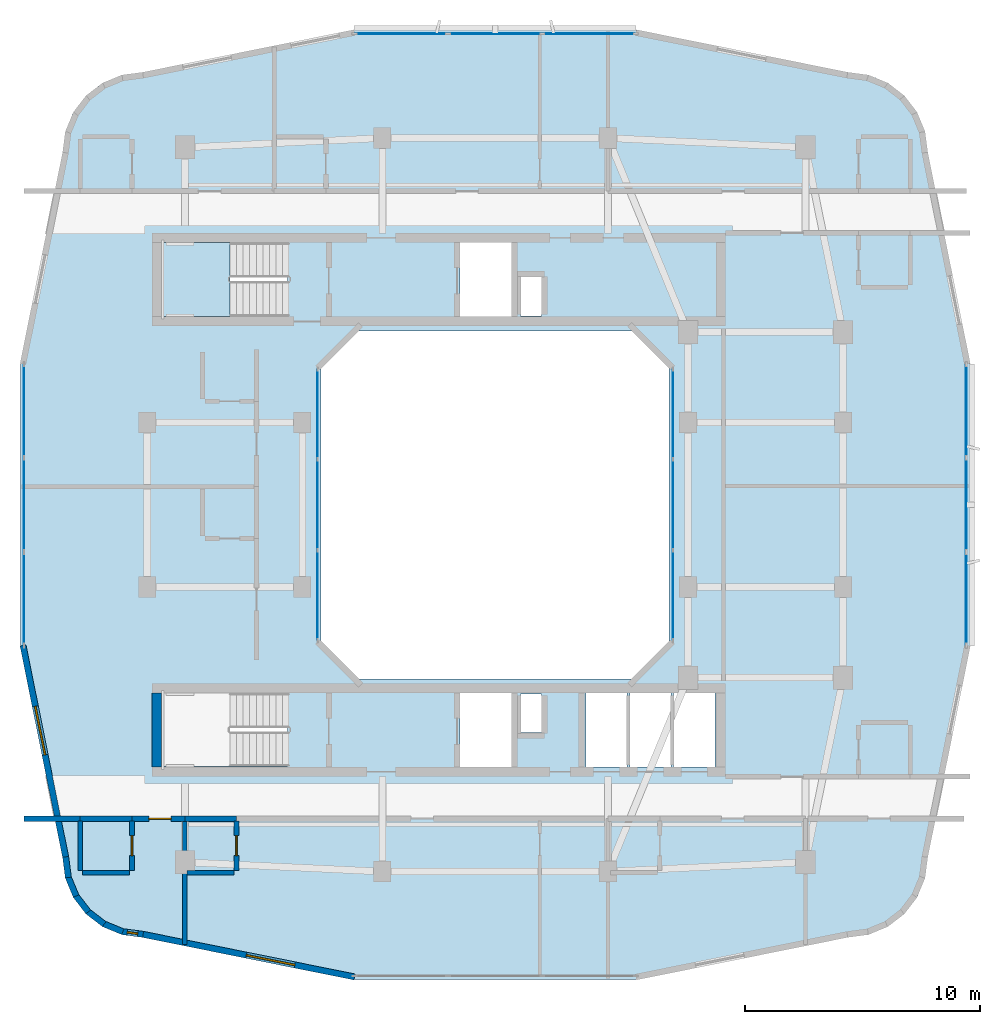
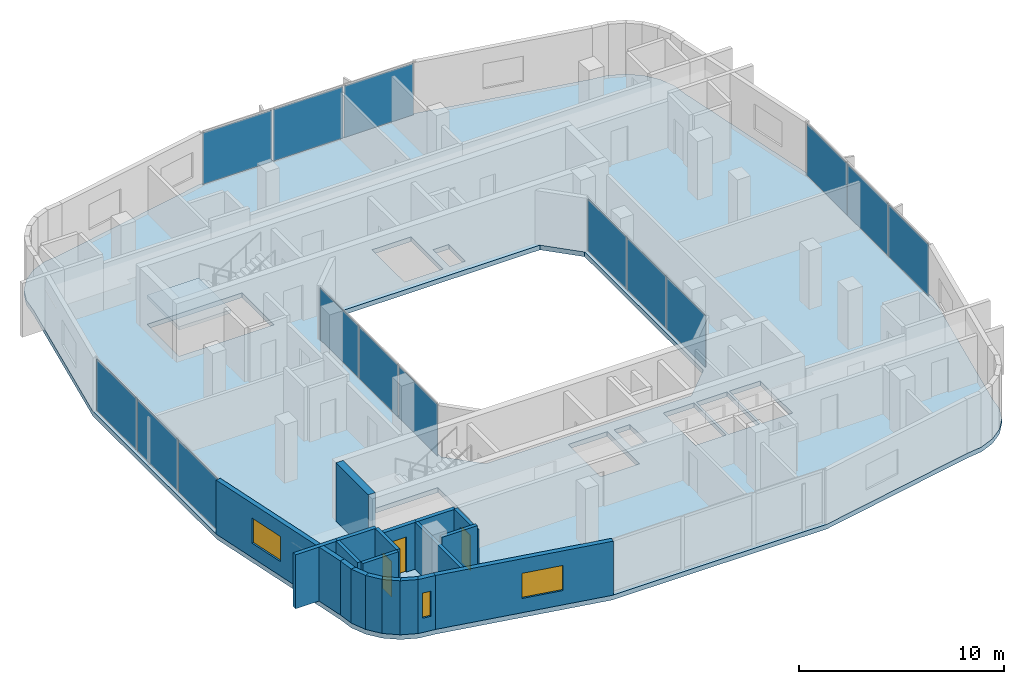
# One storey, part 6 of 14: 19 walls, 15 plates, 3 doors, 3 windows, 2 slabs, 6 openings, 6 elements without a shape of their own.
"""IFC4 building model written with IfcOpenShell, lengths in metres."""

from ifc_helpers import new_model, si_unit, derived_unit, direction, frame, frame_2d, origin, origin_2d, place, context, subcontext, project, spatial, polyline, rectangle, outline, extrude, material, layer, layer_set, type_object, element, fill, aggregate, save


model = new_model("IFC4")

# Units and contexts
model_context = context("Model", 3, precision=1e-05, world=origin(), true_north=direction((0.0, 1.0)))
body_context = subcontext(model_context, "Body", "Model", "MODEL_VIEW")
ifc_project = project(units=[si_unit("LENGTHUNIT", "METRE"), si_unit("AREAUNIT", "SQUARE_METRE"), si_unit("VOLUMEUNIT", "CUBIC_METRE"), si_unit("PLANEANGLEUNIT", "RADIAN"), si_unit("MASSUNIT", "GRAM", prefix="KILO"), derived_unit("THERMALTRANSMITTANCEUNIT", [(si_unit("POWERUNIT", "WATT"), 1), (si_unit("LENGTHUNIT", "METRE"), -2), (si_unit("THERMODYNAMICTEMPERATUREUNIT", "KELVIN"), -1)])], contexts=[model_context])

# Site, building, storey
site_placement = place(None, origin())
site = spatial("IfcSite", under=ifc_project, at=site_placement, CompositionType="ELEMENT")
building_placement = place(site_placement, origin())
building = spatial("IfcBuilding", under=site, at=building_placement, Name="Kivonza Crest Hotel", CompositionType="ELEMENT")
storey_placement = place(building_placement, frame((0.0, 0.0, 141.5)))
storey = spatial("IfcBuildingStorey", under=building, at=storey_placement, Name="L38", CompositionType="ELEMENT", Elevation=141.5)

# Curtain wall, plates
ifc_material_1 = material(Name="Anodised bronze aluminium and low-E double glazing", Category="aluminium")
ifc_layer_1 = layer(ifc_material_1, 0.159912109375)
ifc_layer_set_1 = layer_set([ifc_layer_1], Name="Anodised bronze aluminium and low-E double glazing")
curtain_wall_type_1 = type_object("IfcCurtainWallType", Name="CW-SYS-5", PredefinedType="NOTDEFINED", material=ifc_layer_set_1)
curtain_wall_1_placement = place(storey_placement, origin())
curtain_wall_1 = element("IfcCurtainWall", 1, at=curtain_wall_1_placement, inside=storey, type_object=curtain_wall_type_1, Name="L38 unitised curtain wall CW-WELL-T1-L38-3", PredefinedType="NOTDEFINED")
ifc_material_2 = material(Name="Solar-control low-E double glazing", Category="glass")
ifc_layer_2 = layer(ifc_material_2, 0.028076171875)
ifc_layer_set_2 = layer_set([ifc_layer_2], Name="Solar-control low-E double glazing")
plate_type_1 = type_object("IfcPlateType", Name="CW-PNL-28", PredefinedType="CURTAIN_PANEL", material=ifc_layer_set_2)
plate_1_placement = place(storey_placement, frame((28.56005859375, 21.149658203125, 0.06494140625), z_axis=(0.0, 0.0, 1.0), x_axis=(0.0, 1.0, 0.0)))
plate_1 = element("IfcPlate", 2, at=plate_1_placement, type_object=plate_type_1, Name="CW-5 panel 1.1", PredefinedType="CURTAIN_PANEL", context=body_context, shape_type="SweptSolid", body=[
    extrude(rectangle(XDim=3.769287109375, YDim=0.028076171875, at=origin_2d()), origin(), (0.0, 0.0, 1.0), 3.090087890625),
])
plate_2_placement = place(storey_placement, frame((28.56005859375, 25.0, 0.06494140625), z_axis=(0.0, 0.0, 1.0), x_axis=(0.0, 1.0, 0.0)))
plate_2 = element("IfcPlate", 3, at=plate_2_placement, type_object=plate_type_1, Name="CW-5 panel 2.1", PredefinedType="CURTAIN_PANEL", context=body_context, shape_type="SweptSolid", body=[
    extrude(rectangle(XDim=3.8017578125, YDim=0.028076171875, at=origin_2d()), origin(), (0.0, 0.0, 1.0), 3.090087890625),
])
plate_3_placement = place(storey_placement, frame((28.56005859375, 28.850341796875, 0.06494140625), z_axis=(0.0, 0.0, 1.0), x_axis=(0.0, 1.0, 0.0)))
plate_3 = element("IfcPlate", 4, at=plate_3_placement, type_object=plate_type_1, Name="CW-5 panel 3.1", PredefinedType="CURTAIN_PANEL", context=body_context, shape_type="SweptSolid", body=[
    extrude(rectangle(XDim=3.769287109375, YDim=0.028076171875, at=origin_2d()), origin(), (0.0, 0.0, 1.0), 3.090087890625),
])
aggregate(curtain_wall_1, [plate_1, plate_2, plate_3])

curtain_wall_2_placement = place(storey_placement, origin())
curtain_wall_2 = element("IfcCurtainWall", 5, at=curtain_wall_2_placement, inside=storey, type_object=curtain_wall_type_1, Name="L38 unitised curtain wall CW-WELL-T1-L38-7", PredefinedType="NOTDEFINED")
plate_4_placement = place(storey_placement, frame((13.43994140625, 28.850341796875, 0.06494140625), z_axis=(0.0, 0.0, 1.0), x_axis=(0.0, -1.0, 0.0)))
plate_4 = element("IfcPlate", 6, at=plate_4_placement, type_object=plate_type_1, Name="CW-5 panel 1.1", PredefinedType="CURTAIN_PANEL", context=body_context, shape_type="SweptSolid", body=[
    extrude(rectangle(XDim=3.769287109375, YDim=0.028076171875, at=origin_2d()), origin(), (0.0, 0.0, 1.0), 3.090087890625),
])
plate_5_placement = place(storey_placement, frame((13.43994140625, 25.0, 0.06494140625), z_axis=(0.0, 0.0, 1.0), x_axis=(0.0, -1.0, 0.0)))
plate_5 = element("IfcPlate", 7, at=plate_5_placement, type_object=plate_type_1, Name="CW-5 panel 2.1", PredefinedType="CURTAIN_PANEL", context=body_context, shape_type="SweptSolid", body=[
    extrude(rectangle(XDim=3.8017578125, YDim=0.028076171875, at=origin_2d()), origin(), (0.0, 0.0, 1.0), 3.090087890625),
])
plate_6_placement = place(storey_placement, frame((13.43994140625, 21.149658203125, 0.06494140625), z_axis=(0.0, 0.0, 1.0), x_axis=(0.0, -1.0, 0.0)))
plate_6 = element("IfcPlate", 8, at=plate_6_placement, type_object=plate_type_1, Name="CW-5 panel 3.1", PredefinedType="CURTAIN_PANEL", context=body_context, shape_type="SweptSolid", body=[
    extrude(rectangle(XDim=3.769287109375, YDim=0.028076171875, at=origin_2d()), origin(), (0.0, 0.0, 1.0), 3.090087890625),
])
aggregate(curtain_wall_2, [plate_4, plate_5, plate_6])

ifc_layer_3 = layer(ifc_material_1, 0.179931640625)
ifc_layer_set_3 = layer_set([ifc_layer_3], Name="Anodised bronze aluminium and low-E double glazing")
curtain_wall_type_2 = type_object("IfcCurtainWallType", Name="CW-SYS-3", PredefinedType="NOTDEFINED", material=ifc_layer_set_3)
curtain_wall_3_placement = place(storey_placement, origin())
curtain_wall_3 = element("IfcCurtainWall", 9, at=curtain_wall_3_placement, inside=storey, type_object=curtain_wall_type_2, Name="L38 unitised curtain wall CW-T1-L38-17", PredefinedType="NOTDEFINED")
ifc_material_3 = material(Name="Acoustic triple-laminated low-E glazing", Category="glass")
ifc_layer_4 = layer(ifc_material_3, 0.035888671875)
ifc_layer_set_4 = layer_set([ifc_layer_4], Name="Acoustic triple-laminated low-E glazing")
plate_type_2 = type_object("IfcPlateType", Name="CW-PNL-36", PredefinedType="CURTAIN_PANEL", material=ifc_layer_set_4)
plate_7_placement = place(storey_placement, frame((41.0400390625, 21.00537109375, 0.0751953125), z_axis=(0.0, 0.0, 1.0), x_axis=(0.0, 1.0, 0.0)))
plate_7 = element("IfcPlate", 10, at=plate_7_placement, type_object=plate_type_2, Name="CW-3 panel 1.1", PredefinedType="CURTAIN_PANEL", context=body_context, shape_type="SweptSolid", body=[
    extrude(rectangle(XDim=3.90087890625, YDim=0.035888671875, at=origin_2d()), origin(), (0.0, 0.0, 1.0), 3.070068359375),
])
plate_8_placement = place(storey_placement, frame((41.0400390625, 25.0, 0.0751953125), z_axis=(0.0, 0.0, 1.0), x_axis=(0.0, 1.0, 0.0)))
plate_8 = element("IfcPlate", 11, at=plate_8_placement, type_object=plate_type_2, Name="CW-3 panel 2.1", PredefinedType="CURTAIN_PANEL", context=body_context, shape_type="SweptSolid", body=[
    extrude(rectangle(XDim=3.938232421875, YDim=0.035888671875, at=origin_2d()), origin(), (0.0, 0.0, 1.0), 3.070068359375),
])
plate_9_placement = place(storey_placement, frame((41.0400390625, 28.99462890625, 0.0751953125), z_axis=(0.0, 0.0, 1.0), x_axis=(0.0, 1.0, 0.0)))
plate_9 = element("IfcPlate", 12, at=plate_9_placement, type_object=plate_type_2, Name="CW-3 panel 3.1", PredefinedType="CURTAIN_PANEL", context=body_context, shape_type="SweptSolid", body=[
    extrude(rectangle(XDim=3.90087890625, YDim=0.035888671875, at=origin_2d()), origin(), (0.0, 0.0, 1.0), 3.070068359375),
])
aggregate(curtain_wall_3, [plate_7, plate_8, plate_9])

curtain_wall_4_placement = place(storey_placement, origin())
curtain_wall_4 = element("IfcCurtainWall", 13, at=curtain_wall_4_placement, inside=storey, type_object=curtain_wall_type_2, Name="L38 unitised curtain wall CW-T1-L38-26", PredefinedType="NOTDEFINED")
plate_10_placement = place(storey_placement, frame((24.99462890625, 45.0400390625, 0.0751953125), z_axis=(0.0, 0.0, 1.0), x_axis=(-1.0, 0.0, 0.0)))
plate_10 = element("IfcPlate", 14, at=plate_10_placement, type_object=plate_type_2, Name="CW-3 panel 1.1", PredefinedType="CURTAIN_PANEL", context=body_context, shape_type="SweptSolid", body=[
    extrude(rectangle(XDim=3.90087890625, YDim=0.035888671875, at=origin_2d()), origin(), (0.0, 0.0, 1.0), 3.070068359375),
])
plate_11_placement = place(storey_placement, frame((21.0, 45.0400390625, 0.0751953125), z_axis=(0.0, 0.0, 1.0), x_axis=(-1.0, 0.0, 0.0)))
plate_11 = element("IfcPlate", 15, at=plate_11_placement, type_object=plate_type_2, Name="CW-3 panel 2.1", PredefinedType="CURTAIN_PANEL", context=body_context, shape_type="SweptSolid", body=[
    extrude(rectangle(XDim=3.938232421875, YDim=0.035888671875, at=origin_2d()), origin(), (0.0, 0.0, 1.0), 3.070068359375),
])
plate_12_placement = place(storey_placement, frame((17.00537109375, 45.0400390625, 0.0751953125), z_axis=(0.0, 0.0, 1.0), x_axis=(-1.0, 0.0, 0.0)))
plate_12 = element("IfcPlate", 16, at=plate_12_placement, type_object=plate_type_2, Name="CW-3 panel 3.1", PredefinedType="CURTAIN_PANEL", context=body_context, shape_type="SweptSolid", body=[
    extrude(rectangle(XDim=3.90087890625, YDim=0.035888671875, at=origin_2d()), origin(), (0.0, 0.0, 1.0), 3.070068359375),
])
aggregate(curtain_wall_4, [plate_10, plate_11, plate_12])

curtain_wall_5_placement = place(storey_placement, origin())
curtain_wall_5 = element("IfcCurtainWall", 17, at=curtain_wall_5_placement, inside=storey, type_object=curtain_wall_type_2, Name="L38 unitised curtain wall CW-T1-L38-35", PredefinedType="NOTDEFINED")
plate_13_placement = place(storey_placement, frame((0.9599609375, 28.99462890625, 0.0751953125), z_axis=(0.0, 0.0, 1.0), x_axis=(0.0, -1.0, 0.0)))
plate_13 = element("IfcPlate", 18, at=plate_13_placement, type_object=plate_type_2, Name="CW-3 panel 1.1", PredefinedType="CURTAIN_PANEL", context=body_context, shape_type="SweptSolid", body=[
    extrude(rectangle(XDim=3.90087890625, YDim=0.035888671875, at=origin_2d()), origin(), (0.0, 0.0, 1.0), 3.070068359375),
])
plate_14_placement = place(storey_placement, frame((0.9599609375, 25.0, 0.0751953125), z_axis=(0.0, 0.0, 1.0), x_axis=(0.0, -1.0, 0.0)))
plate_14 = element("IfcPlate", 19, at=plate_14_placement, type_object=plate_type_2, Name="CW-3 panel 2.1", PredefinedType="CURTAIN_PANEL", context=body_context, shape_type="SweptSolid", body=[
    extrude(rectangle(XDim=3.938232421875, YDim=0.035888671875, at=origin_2d()), origin(), (0.0, 0.0, 1.0), 3.070068359375),
])
plate_15_placement = place(storey_placement, frame((0.9599609375, 21.00537109375, 0.0751953125), z_axis=(0.0, 0.0, 1.0), x_axis=(0.0, -1.0, 0.0)))
plate_15 = element("IfcPlate", 20, at=plate_15_placement, type_object=plate_type_2, Name="CW-3 panel 3.1", PredefinedType="CURTAIN_PANEL", context=body_context, shape_type="SweptSolid", body=[
    extrude(rectangle(XDim=3.90087890625, YDim=0.035888671875, at=origin_2d()), origin(), (0.0, 0.0, 1.0), 3.070068359375),
])
aggregate(curtain_wall_5, [plate_13, plate_14, plate_15])

# Slab
ifc_material_4 = material(Name="Concrete C40/50", Category="concrete")
ifc_layer_5 = layer(ifc_material_4, 0.280029296875)
ifc_layer_set_5 = layer_set([ifc_layer_5], Name="Concrete C40/50")
slab_type_1 = type_object("IfcSlabType", Name="SL-HTL-280", PredefinedType="FLOOR", material=ifc_layer_set_5)
slab_1_placement = place(storey_placement, frame((0.0, 0.0, -0.280029296875)))
element("IfcSlab", 21, at=slab_1_placement, inside=storey, type_object=slab_type_1, Name="Tower T1 L38 floor slab", PredefinedType="FLOOR", context=body_context, shape_type="SweptSolid", body=[
    extrude(outline(polyline([(2.60009765625, 10.0), (2.716064453125, 9.1201171875), (3.055908203125, 8.300048828125), (3.595947265625, 7.595947265625), (4.300048828125, 7.055908203125), (5.1201171875, 6.716064453125), (6.0, 6.60009765625), (14.93994140625, 4.800048828125), (27.06005859375, 4.800048828125), (36.0, 6.60009765625), (36.8798828125, 6.716064453125), (37.699951171875, 7.055908203125), (38.404052734375, 7.595947265625), (38.944091796875, 8.300048828125), (39.283935546875, 9.1201171875), (39.39990234375, 10.0), (41.199951171875, 18.93994140625), (41.199951171875, 31.06005859375), (39.39990234375, 40.0), (39.283935546875, 40.8798828125), (38.944091796875, 41.699951171875), (38.404052734375, 42.404052734375), (37.699951171875, 42.944091796875), (36.8798828125, 43.283935546875), (36.0, 43.39990234375), (27.06005859375, 45.199951171875), (14.93994140625, 45.199951171875), (6.0, 43.39990234375), (5.1201171875, 43.283935546875), (4.300048828125, 42.944091796875), (3.595947265625, 42.404052734375), (3.055908203125, 41.699951171875), (2.716064453125, 40.8798828125), (2.60009765625, 40.0), (0.800048828125, 31.06005859375), (0.800048828125, 18.93994140625), (2.60009765625, 10.0)]), holes=[polyline([(15.199951171875, 17.60009765625), (26.800048828125, 17.60009765625), (28.39990234375, 19.199951171875), (28.39990234375, 30.800048828125), (26.800048828125, 32.39990234375), (15.199951171875, 32.39990234375), (13.60009765625, 30.800048828125), (13.60009765625, 19.199951171875), (15.199951171875, 17.60009765625)]), polyline([(6.800048828125, 33.02001953125), (12.159912109375, 33.02001953125), (12.159912109375, 36.159912109375), (6.800048828125, 36.159912109375), (6.800048828125, 33.02001953125)]), polyline([(6.800048828125, 13.860107421875), (12.159912109375, 13.860107421875), (12.159912109375, 17.0), (6.800048828125, 17.0), (6.800048828125, 13.860107421875)]), polyline([(22.080078125, 33.0400390625), (22.969970703125, 33.0400390625), (22.969970703125, 34.679931640625), (22.080078125, 34.679931640625), (22.080078125, 33.0400390625)]), polyline([(22.080078125, 15.320068359375), (22.969970703125, 15.320068359375), (22.969970703125, 16.9599609375), (22.080078125, 16.9599609375), (22.080078125, 15.320068359375)]), polyline([(19.5, 33.0), (21.699951171875, 33.0), (21.699951171875, 36.159912109375), (19.5, 36.159912109375), (19.5, 33.0)]), polyline([(19.5, 13.840087890625), (21.699951171875, 13.840087890625), (21.699951171875, 17.0), (19.5, 17.0), (19.5, 13.840087890625)]), polyline([(24.860107421875, 13.840087890625), (26.60693359375, 13.840087890625), (26.60693359375, 17.0), (24.860107421875, 17.0), (24.860107421875, 13.840087890625)]), polyline([(26.72705078125, 13.840087890625), (28.472900390625, 13.840087890625), (28.472900390625, 17.0), (26.72705078125, 17.0), (26.72705078125, 13.840087890625)]), polyline([(28.593017578125, 13.840087890625), (30.340087890625, 13.840087890625), (30.340087890625, 17.0), (28.593017578125, 17.0), (28.593017578125, 13.840087890625)])]), origin(), (0.0, 0.0, 1.0), 0.280029296875),
])

# Stair, slab
stair_type = type_object("IfcStairType", Name="ST-DL-20R", PredefinedType="HALF_TURN_STAIR", material=ifc_material_4)
stair_placement = place(storey_placement, origin())
stair = element("IfcStair", 22, at=stair_placement, inside=storey, type_object=stair_type, Name="L38 Protected Exit Stair ST-T1-N", PredefinedType="HALF_TURN_STAIR")
ifc_layer_6 = layer(ifc_material_4, 0.199951171875)
ifc_layer_set_6 = layer_set([ifc_layer_6], Name="Concrete C40/50")
slab_type_2 = type_object("IfcSlabType", Name="SL-LAND-200", PredefinedType="LANDING", material=ifc_layer_set_6)
slab_2_placement = place(storey_placement, frame((0.0, 0.0, 1.550048828125)))
slab_2 = element("IfcSlab", 23, at=slab_2_placement, type_object=slab_type_2, Name="ST-T1-N landing 1", PredefinedType="LANDING", context=body_context, shape_type="SweptSolid", body=[
    extrude(outline(polyline([(9.719970703125, 36.159912109375), (6.800048828125, 36.159912109375), (6.800048828125, 33.02001953125), (9.719970703125, 33.02001953125), (9.719970703125, 36.159912109375)])), origin(), (0.0, 0.0, 1.0), 0.199951171875),
])
aggregate(stair, [slab_2])

# Walls
ifc_material_5 = material(Name="High-density acoustic masonry inter-tenancy wall", Category="masonry")
ifc_layer_7 = layer(ifc_material_5, 0.179931640625)
ifc_layer_set_7 = layer_set([ifc_layer_7], Name="High-density acoustic masonry inter-tenancy wall")
wall_type_1 = type_object("IfcWallType", Name="WL-ACOU-180", PredefinedType="SOLIDWALL", material=ifc_layer_set_7)
wall_1_placement = place(storey_placement, frame((7.800048828125, 6.299072265625, 0.0), z_axis=(0.0, 0.0, 1.0), x_axis=(0.0, 1.0, 0.0)))
element("IfcWall", 24, at=wall_1_placement, inside=storey, type_object=wall_type_1, Name="L38 interior partition WA-L38-T1S-DIV1", PredefinedType="SOLIDWALL", context=body_context, shape_type="SweptSolid", body=[
    extrude(rectangle(XDim=5.350830078125, YDim=0.179931640625, at=frame_2d((2.67529296875, 0.0))), origin(), (0.0, 0.0, 1.0), 2.794921875),
])
ifc_material_6 = material(Name="Autoclaved aerated concrete blockwork", Category="masonry")
ifc_layer_8 = layer(ifc_material_6, 0.219970703125)
ifc_layer_set_8 = layer_set([ifc_layer_8], Name="Autoclaved aerated concrete blockwork")
wall_type_2 = type_object("IfcWallType", Name="WL-ACOU-220", PredefinedType="SOLIDWALL", material=ifc_layer_set_8)
wall_2_placement = place(storey_placement, frame((0.9599609375, 11.64990234375, 0.0), z_axis=(0.0, 0.0, 1.0), x_axis=(1.0, 0.0, 0.0)))
element("IfcWall", 25, at=wall_2_placement, inside=storey, type_object=wall_type_2, Name="L38 interior partition WA-L38-S04-XCORR", PredefinedType="SOLIDWALL", context=body_context, shape_type="SweptSolid", body=[
    extrude(rectangle(XDim=2.39013671875, YDim=0.219970703125, at=frame_2d((1.195068359375, 0.0))), origin(), (0.0, 0.0, 1.0), 3.219970703125),
])
wall_3_placement = place(storey_placement, frame((3.35009765625, 11.64990234375, 0.0), z_axis=(0.0, 0.0, 1.0), x_axis=(1.0, 0.0, 0.0)))
element("IfcWall", 26, at=wall_3_placement, inside=storey, type_object=wall_type_2, Name="L38 interior partition WA-L38-S04-BCORR", PredefinedType="SOLIDWALL", context=body_context, shape_type="SweptSolid", body=[
    extrude(rectangle(XDim=2.199951171875, YDim=0.219970703125, at=frame_2d((1.10009765625, 0.0))), origin(), (0.0, 0.0, 1.0), 3.219970703125),
])

# Wall, opening, door
wall_4_placement = place(storey_placement, frame((5.550048828125, 11.64990234375, 0.0), z_axis=(0.0, 0.0, 1.0), x_axis=(1.0, 0.0, 0.0)))
wall_4 = element("IfcWall", 27, at=wall_4_placement, inside=storey, type_object=wall_type_2, Name="L38 interior partition WA-L38-S04-MCORR", PredefinedType="SOLIDWALL", context=body_context, shape_type="SweptSolid", body=[
    extrude(rectangle(XDim=2.25, YDim=0.219970703125, at=frame_2d((1.125, 0.0))), origin(), (0.0, 0.0, 1.0), 2.794921875),
])
opening_1_placement = place(wall_4_placement, frame((0.719970703125, 0.0, 0.0)))
opening_1 = element("IfcOpeningElement", 28, at=opening_1_placement, cuts=wall_4, Name="Opening DU-60", PredefinedType="OPENING", context=body_context, shape_type="SweptSolid", body=[
    extrude(rectangle(XDim=0.949951171875, YDim=2.10009765625, at=frame_2d((0.47509765625, 1.050048828125))), frame((0.0, 0.1201171875, 0.0), z_axis=(0.0, -1.0, 0.0), x_axis=(1.0, 0.0, 0.0)), (0.0, 0.0, 1.0), 0.239990234375),
])
ifc_material_7 = material(Name="Hardwood timber oak", Category="wood")
door_type_1 = type_object("IfcDoorType", Name="DR-UNIT-950", OperationType="NOTDEFINED", PredefinedType="DOOR", material=ifc_material_7)
door_1_placement = place(opening_1_placement, frame((0.949951171875, 0.0, 0.0), z_axis=(0.0, 0.0, 1.0), x_axis=(-1.0, 0.0, 0.0)))
door_1 = element("IfcDoor", 29, at=door_1_placement, inside=storey, type_object=door_type_1, Name="L38 S04 guest unit entrance fire door", OperationType="SINGLE_SWING_RIGHT", OverallHeight=2.10009765625, OverallWidth=0.949951171875, PredefinedType="DOOR", context=body_context, shape_type="SweptSolid", body=[
    extrude(rectangle(XDim=0.949951171875, YDim=2.10009765625, at=frame_2d((0.47509765625, 1.050048828125))), frame((0.0, 0.02490234375, 0.0), z_axis=(0.0, -1.0, 0.0), x_axis=(1.0, 0.0, 0.0)), (0.0, 0.0, 1.0), 0.050048828125),
])
fill(opening_1, door_1)

# Walls
wall_5_placement = place(storey_placement, frame((7.800048828125, 11.64990234375, 0.0), z_axis=(0.0, 0.0, 1.0), x_axis=(1.0, 0.0, 0.0)))
element("IfcWall", 30, at=wall_5_placement, inside=storey, type_object=wall_type_2, Name="L38 interior partition WA-L38-S05-BCORR", PredefinedType="SOLIDWALL", context=body_context, shape_type="SweptSolid", body=[
    extrude(rectangle(XDim=2.199951171875, YDim=0.219970703125, at=frame_2d((1.10009765625, 0.0))), origin(), (0.0, 0.0, 1.0), 2.794921875),
])
ifc_material_8 = material(Name="Concrete C50/60", Category="concrete")
ifc_layer_9 = layer(ifc_material_8, 0.39990234375)
ifc_layer_set_9 = layer_set([ifc_layer_9], Name="Concrete C50/60")
wall_type_3 = type_object("IfcWallType", Name="WL-CORE-400", PredefinedType="SHEAR", material=ifc_layer_set_9)
wall_6_placement = place(storey_placement, frame((6.60009765625, 13.840087890625, 0.0), z_axis=(0.0, 0.0, 1.0), x_axis=(0.0, 1.0, 0.0)))
element("IfcWall", 31, at=wall_6_placement, inside=storey, type_object=wall_type_3, Name="Core wall T1-S West L38", PredefinedType="SHEAR", context=body_context, shape_type="SweptSolid", body=[
    extrude(rectangle(XDim=3.159912109375, YDim=0.39990234375, at=frame_2d((1.580078125, 0.0))), origin(), (0.0, 0.0, 1.0), 3.5),
])
ifc_material_9 = material(Name="Precast concrete C40/50", Category="concrete")
ifc_layer_10 = layer(ifc_material_9, 0.260009765625)
ifc_layer_set_10 = layer_set([ifc_layer_10], Name="Precast concrete C40/50")
wall_type_4 = type_object("IfcWallType", Name="WL-EXT-260", PredefinedType="STANDARD", material=ifc_layer_set_10)
wall_7_placement = place(storey_placement, frame((2.72802734375, 10.02490234375, 0.0), z_axis=(0.0, 0.0, 1.0), x_axis=(0.130953706898, -0.991388484223, 0.0)))
element("IfcWall", 32, at=wall_7_placement, inside=storey, type_object=wall_type_4, Name="L38 T1 exterior insulated wall 1", PredefinedType="STANDARD", context=body_context, shape_type="SweptSolid", body=[
    extrude(rectangle(XDim=0.885498046875, YDim=0.260009765625, at=frame_2d((0.44287109375, 0.0))), origin(), (0.0, 0.0, 1.0), 3.219970703125),
])
wall_8_placement = place(storey_placement, frame((2.825927734375, 9.193115234375, 0.0), z_axis=(0.0, 0.0, 1.0), x_axis=(0.383290660547, -0.923627776508, 0.0)))
element("IfcWall", 33, at=wall_8_placement, inside=storey, type_object=wall_type_4, Name="L38 T1 exterior insulated wall 2", PredefinedType="STANDARD", context=body_context, shape_type="SweptSolid", body=[
    extrude(rectangle(XDim=0.9033203125, YDim=0.260009765625, at=frame_2d((0.45166015625, 0.0))), origin(), (0.0, 0.0, 1.0), 3.219970703125),
])
wall_9_placement = place(storey_placement, frame((3.14404296875, 8.39892578125, 0.0), z_axis=(0.0, 0.0, 1.0), x_axis=(0.608624690463, -0.793458244748, 0.0)))
element("IfcWall", 34, at=wall_9_placement, inside=storey, type_object=wall_type_4, Name="L38 T1 exterior insulated wall 3", PredefinedType="STANDARD", context=body_context, shape_type="SweptSolid", body=[
    extrude(rectangle(XDim=0.902099609375, YDim=0.260009765625, at=frame_2d((0.451171875, 0.0))), origin(), (0.0, 0.0, 1.0), 3.219970703125),
])
wall_10_placement = place(storey_placement, frame((3.655029296875, 7.714111328125, 0.0), z_axis=(0.0, 0.0, 1.0), x_axis=(0.793558456666, -0.608494022858, 0.0)))
element("IfcWall", 35, at=wall_10_placement, inside=storey, type_object=wall_type_4, Name="L38 T1 exterior insulated wall 4", PredefinedType="STANDARD", context=body_context, shape_type="SweptSolid", body=[
    extrude(rectangle(XDim=0.90234375, YDim=0.260009765625, at=frame_2d((0.451171875, 0.0))), origin(), (0.0, 0.0, 1.0), 3.219970703125),
])
wall_11_placement = place(storey_placement, frame((4.326904296875, 7.18603515625, 0.0), z_axis=(0.0, 0.0, 1.0), x_axis=(0.923683767999, -0.383155708213, 0.0)))
element("IfcWall", 36, at=wall_11_placement, inside=storey, type_object=wall_type_4, Name="L38 T1 exterior insulated wall 5", PredefinedType="STANDARD", context=body_context, shape_type="SweptSolid", body=[
    extrude(rectangle(XDim=0.90283203125, YDim=0.260009765625, at=frame_2d((0.451416015625, 0.0))), origin(), (0.0, 0.0, 1.0), 3.219970703125),
])

# Wall, opening, window
wall_12_placement = place(storey_placement, frame((5.112060546875, 6.847900390625, 0.0), z_axis=(0.0, 0.0, 1.0), x_axis=(0.991487658083, -0.130200706103, 0.0)))
wall_12 = element("IfcWall", 37, at=wall_12_placement, inside=storey, type_object=wall_type_4, Name="L38 T1 exterior insulated wall 6", PredefinedType="STANDARD", context=body_context, shape_type="SweptSolid", body=[
    extrude(rectangle(XDim=0.920654296875, YDim=0.260009765625, at=frame_2d((0.46044921875, 0.0))), origin(), (0.0, 0.0, 1.0), 3.219970703125),
])
opening_2_placement = place(wall_12_placement, frame((0.235107421875, 0.0, 0.85009765625)))
opening_2 = element("IfcOpeningElement", 38, at=opening_2_placement, cuts=wall_12, Name="Opening WN-11", PredefinedType="OPENING", context=body_context, shape_type="SweptSolid", body=[
    extrude(rectangle(XDim=0.449951171875, YDim=1.5, at=frame_2d((0.22509765625, 0.75))), frame((0.0, 0.14013671875, 0.0), z_axis=(0.0, -1.0, 0.0), x_axis=(1.0, 0.0, 0.0)), (0.0, 0.0, 1.0), 0.280029296875),
])
ifc_material_10 = material(Name="Thermally broken bronze aluminium and low-E double glazing", Category="aluminium")
window_type_1 = type_object("IfcWindowType", Name="WN-045x150", PartitioningType="SINGLE_PANEL", PredefinedType="WINDOW", material=ifc_material_10)
window_1_placement = place(opening_2_placement, origin())
window_1 = element("IfcWindow", 39, at=window_1_placement, inside=storey, type_object=window_type_1, Name="L38 corner vision window 1", OverallHeight=1.5, OverallWidth=0.449951171875, PartitioningType="SINGLE_PANEL", PredefinedType="WINDOW", context=body_context, shape_type="SweptSolid", body=[
    extrude(rectangle(XDim=0.449951171875, YDim=1.5, at=frame_2d((0.22509765625, 0.75))), frame((0.0, 0.030029296875, 0.0), z_axis=(0.0, -1.0, 0.0), x_axis=(1.0, 0.0, 0.0)), (0.0, 0.0, 1.0), 0.06005859375),
])
fill(opening_2, window_1)

wall_13_placement = place(storey_placement, frame((6.01806640625, 6.72900390625, 0.0), z_axis=(0.0, 0.0, 1.0), x_axis=(0.980315963543, -0.197435082048, 0.0)))
wall_13 = element("IfcWall", 40, at=wall_13_placement, inside=storey, type_object=wall_type_4, Name="L38 T1 exterior insulated wall 7", PredefinedType="STANDARD", context=body_context, shape_type="SweptSolid", body=[
    extrude(rectangle(XDim=9.1826171875, YDim=0.260009765625, at=frame_2d((4.59130859375, 0.0))), origin(), (0.0, 0.0, 1.0), 3.219970703125),
])
opening_3_placement = place(wall_13_placement, frame((4.487060546875, 0.0, 0.85009765625)))
opening_3 = element("IfcOpeningElement", 41, at=opening_3_placement, cuts=wall_13, Name="Opening WN-04", PredefinedType="OPENING", context=body_context, shape_type="SweptSolid", body=[
    extrude(rectangle(XDim=2.10009765625, YDim=1.5, at=frame_2d((1.050048828125, 0.75))), frame((0.0, 0.14013671875, 0.0), z_axis=(0.0, -1.0, 0.0), x_axis=(1.0, 0.0, 0.0)), (0.0, 0.0, 1.0), 0.280029296875),
])
window_type_2 = type_object("IfcWindowType", Name="WN-210x150", PartitioningType="DOUBLE_PANEL_VERTICAL", PredefinedType="WINDOW", material=ifc_material_10)
window_2_placement = place(opening_3_placement, origin())
window_2 = element("IfcWindow", 42, at=window_2_placement, inside=storey, type_object=window_type_2, Name="L38 T1 facade window 7", OverallHeight=1.5, OverallWidth=2.10009765625, PartitioningType="SINGLE_PANEL", PredefinedType="WINDOW", context=body_context, shape_type="SweptSolid", body=[
    extrude(rectangle(XDim=2.10009765625, YDim=1.5, at=frame_2d((1.050048828125, 0.75))), frame((0.0, 0.030029296875, 0.0), z_axis=(0.0, -1.0, 0.0), x_axis=(1.0, 0.0, 0.0)), (0.0, 0.0, 1.0), 0.06005859375),
])
fill(opening_3, window_2)

wall_14_placement = place(storey_placement, frame((0.916015625, 19.02001953125, 0.0), z_axis=(0.0, 0.0, 1.0), x_axis=(0.197435082048, -0.980315963543, 0.0)))
wall_14 = element("IfcWall", 43, at=wall_14_placement, inside=storey, type_object=wall_type_4, Name="L38 T1 exterior insulated wall 36", PredefinedType="STANDARD", context=body_context, shape_type="SweptSolid", body=[
    extrude(rectangle(XDim=9.1826171875, YDim=0.260009765625, at=frame_2d((4.59130859375, 0.0))), origin(), (0.0, 0.0, 1.0), 3.219970703125),
])
opening_4_placement = place(wall_14_placement, frame((2.64697265625, 0.0, 0.85009765625)))
opening_4 = element("IfcOpeningElement", 44, at=opening_4_placement, cuts=wall_14, Name="Opening WN-04", PredefinedType="OPENING", context=body_context, shape_type="SweptSolid", body=[
    extrude(rectangle(XDim=2.10009765625, YDim=1.5, at=frame_2d((1.050048828125, 0.75))), frame((0.0, 0.14013671875, 0.0), z_axis=(0.0, -1.0, 0.0), x_axis=(1.0, 0.0, 0.0)), (0.0, 0.0, 1.0), 0.280029296875),
])
window_3_placement = place(opening_4_placement, origin())
window_3 = element("IfcWindow", 45, at=window_3_placement, inside=storey, type_object=window_type_2, Name="L38 T1 facade window 36", OverallHeight=1.5, OverallWidth=2.10009765625, PartitioningType="SINGLE_PANEL", PredefinedType="WINDOW", context=body_context, shape_type="SweptSolid", body=[
    extrude(rectangle(XDim=2.10009765625, YDim=1.5, at=frame_2d((1.050048828125, 0.75))), frame((0.0, 0.030029296875, 0.0), z_axis=(0.0, -1.0, 0.0), x_axis=(1.0, 0.0, 0.0)), (0.0, 0.0, 1.0), 0.06005859375),
])
fill(opening_4, window_3)

# Wall, opening, door
ifc_material_11 = material(Name="Moisture-resistant plumbing chase partition wall", Category="gypsum")
ifc_layer_11 = layer(ifc_material_11, 0.199951171875)
ifc_layer_set_11 = layer_set([ifc_layer_11], Name="Moisture-resistant plumbing chase partition wall")
wall_type_5 = type_object("IfcWallType", Name="WL-PLUMB-200", PredefinedType="PLUMBINGWALL", material=ifc_layer_set_11)
wall_15_placement = place(storey_placement, frame((5.550048828125, 9.449951171875, 0.0), z_axis=(0.0, 0.0, 1.0), x_axis=(0.0, 1.0, 0.0)))
wall_15 = element("IfcWall", 46, at=wall_15_placement, inside=storey, type_object=wall_type_5, Name="L38 interior partition WW-L38-S04-BV", PredefinedType="PLUMBINGWALL", context=body_context, shape_type="SweptSolid", body=[
    extrude(rectangle(XDim=2.10009765625, YDim=0.199951171875, at=frame_2d((1.050048828125, 0.0))), origin(), (0.0, 0.0, 1.0), 3.219970703125),
])
opening_5_placement = place(wall_15_placement, frame((0.625, 0.0, 0.0)))
opening_5 = element("IfcOpeningElement", 47, at=opening_5_placement, cuts=wall_15, Name="Opening DI-85", PredefinedType="OPENING", context=body_context, shape_type="SweptSolid", body=[
    extrude(rectangle(XDim=0.85009765625, YDim=2.10009765625, at=frame_2d((0.425048828125, 1.050048828125))), frame((0.0, 0.10986328125, 0.0), z_axis=(0.0, -1.0, 0.0), x_axis=(1.0, 0.0, 0.0)), (0.0, 0.0, 1.0), 0.219970703125),
])
door_type_2 = type_object("IfcDoorType", Name="DR-INT-850", OperationType="NOTDEFINED", PredefinedType="DOOR", material=ifc_material_7)
door_2_placement = place(opening_5_placement, frame((0.85009765625, 0.0, 0.0), z_axis=(0.0, 0.0, 1.0), x_axis=(-1.0, 0.0, 0.0)))
door_2 = element("IfcDoor", 48, at=door_2_placement, inside=storey, type_object=door_type_2, Name="L38 S04 en-suite bathroom door", OperationType="SINGLE_SWING_LEFT", OverallHeight=2.10009765625, OverallWidth=0.85009765625, PredefinedType="DOOR", context=body_context, shape_type="SweptSolid", body=[
    extrude(rectangle(XDim=0.85009765625, YDim=2.10009765625, at=frame_2d((0.425048828125, 1.050048828125))), frame((0.0, 0.02490234375, 0.0), z_axis=(0.0, -1.0, 0.0), x_axis=(1.0, 0.0, 0.0)), (0.0, 0.0, 1.0), 0.050048828125),
])
fill(opening_5, door_2)

# Walls
wall_16_placement = place(storey_placement, frame((3.449951171875, 9.35009765625, 0.0), z_axis=(0.0, 0.0, 1.0), x_axis=(1.0, 0.0, 0.0)))
element("IfcWall", 49, at=wall_16_placement, inside=storey, type_object=wall_type_5, Name="L38 interior partition WW-L38-S04-BH", PredefinedType="PLUMBINGWALL", context=body_context, shape_type="SweptSolid", body=[
    extrude(rectangle(XDim=2.0, YDim=0.199951171875, at=frame_2d((1.0, 0.0))), origin(), (0.0, 0.0, 1.0), 3.219970703125),
])
wall_17_placement = place(storey_placement, frame((3.35009765625, 9.449951171875, 0.0), z_axis=(0.0, 0.0, 1.0), x_axis=(0.0, 1.0, 0.0)))
element("IfcWall", 50, at=wall_17_placement, inside=storey, type_object=wall_type_5, Name="L38 interior partition WW-L38-S04-BVW", PredefinedType="PLUMBINGWALL", context=body_context, shape_type="SweptSolid", body=[
    extrude(rectangle(XDim=2.10009765625, YDim=0.199951171875, at=frame_2d((1.050048828125, 0.0))), origin(), (0.0, 0.0, 1.0), 3.219970703125),
])

# Wall, opening, door
wall_18_placement = place(storey_placement, frame((10.0, 9.449951171875, 0.0), z_axis=(0.0, 0.0, 1.0), x_axis=(0.0, 1.0, 0.0)))
wall_18 = element("IfcWall", 51, at=wall_18_placement, inside=storey, type_object=wall_type_5, Name="L38 interior partition WW-L38-S05-BV", PredefinedType="PLUMBINGWALL", context=body_context, shape_type="SweptSolid", body=[
    extrude(rectangle(XDim=2.10009765625, YDim=0.199951171875, at=frame_2d((1.050048828125, 0.0))), origin(), (0.0, 0.0, 1.0), 2.8349609375),
])
opening_6_placement = place(wall_18_placement, frame((0.625, 0.0, 0.0)))
opening_6 = element("IfcOpeningElement", 52, at=opening_6_placement, cuts=wall_18, Name="Opening DI-85", PredefinedType="OPENING", context=body_context, shape_type="SweptSolid", body=[
    extrude(rectangle(XDim=0.85009765625, YDim=2.10009765625, at=frame_2d((0.425048828125, 1.050048828125))), frame((0.0, 0.10986328125, 0.0), z_axis=(0.0, -1.0, 0.0), x_axis=(1.0, 0.0, 0.0)), (0.0, 0.0, 1.0), 0.219970703125),
])
door_3_placement = place(opening_6_placement, frame((0.85009765625, 0.0, 0.0), z_axis=(0.0, 0.0, 1.0), x_axis=(-1.0, 0.0, 0.0)))
door_3 = element("IfcDoor", 53, at=door_3_placement, inside=storey, type_object=door_type_2, Name="L38 S05 en-suite bathroom door", OperationType="SINGLE_SWING_RIGHT", OverallHeight=2.10009765625, OverallWidth=0.85009765625, PredefinedType="DOOR", context=body_context, shape_type="SweptSolid", body=[
    extrude(rectangle(XDim=0.85009765625, YDim=2.10009765625, at=frame_2d((0.425048828125, 1.050048828125))), frame((0.0, 0.02490234375, 0.0), z_axis=(0.0, -1.0, 0.0), x_axis=(1.0, 0.0, 0.0)), (0.0, 0.0, 1.0), 0.050048828125),
])
fill(opening_6, door_3)

# Wall
wall_19_placement = place(storey_placement, frame((7.89990234375, 9.35009765625, 0.0), z_axis=(0.0, 0.0, 1.0), x_axis=(1.0, 0.0, 0.0)))
element("IfcWall", 54, at=wall_19_placement, inside=storey, type_object=wall_type_5, Name="L38 interior partition WW-L38-S05-BH", PredefinedType="PLUMBINGWALL", context=body_context, shape_type="SweptSolid", body=[
    extrude(rectangle(XDim=2.0, YDim=0.199951171875, at=frame_2d((1.0, 0.0))), origin(), (0.0, 0.0, 1.0), 3.219970703125),
])

save(model, "model.ifc")
